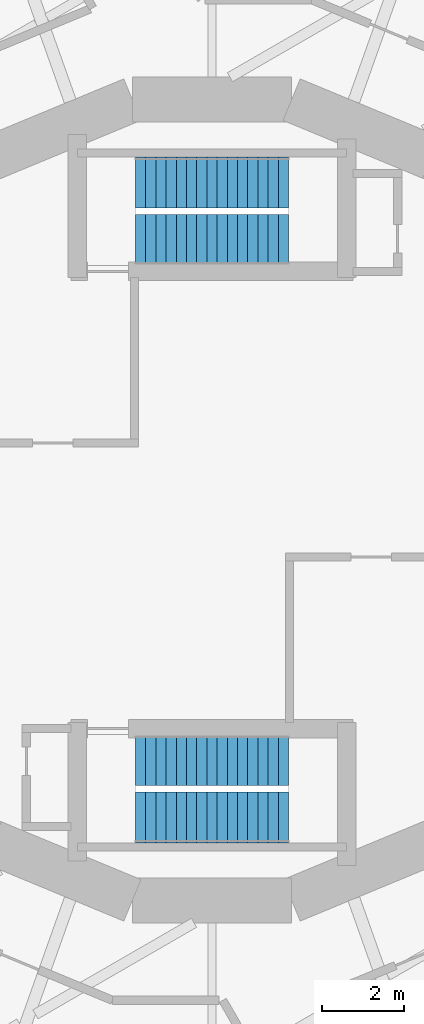
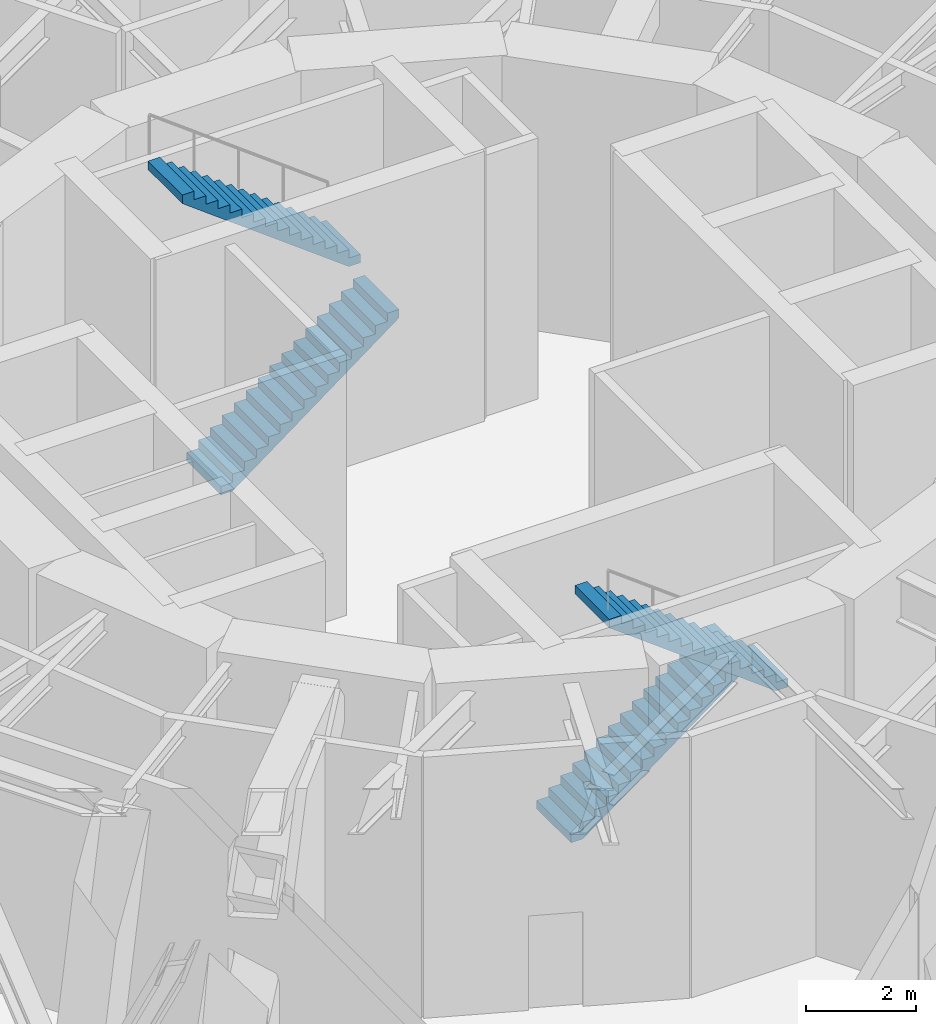
# One storey, part 7 of 10: 4 stair flights, 2 elements without a shape of their own.
"""IFC4 building model written with IfcOpenShell, lengths in metres."""

from ifc_helpers import new_model, si_unit, direction, frame, origin, place, context, subcontext, project, spatial, polyline, outline, extrude, material, type_object, element, aggregate, save


model = new_model("IFC4")

# Units and contexts
model_context = context("Model", 3, precision=1e-05, world=origin(), true_north=direction((0.0, 1.0)))
body_context = subcontext(model_context, "Body", "Model", "MODEL_VIEW")
ifc_project = project(units=[si_unit("LENGTHUNIT", "METRE"), si_unit("AREAUNIT", "SQUARE_METRE"), si_unit("VOLUMEUNIT", "CUBIC_METRE"), si_unit("PLANEANGLEUNIT", "RADIAN"), si_unit("MASSUNIT", "GRAM", prefix="KILO")], contexts=[model_context])

# Site, building, storey
site_placement = place(None, origin())
site = spatial("IfcSite", under=ifc_project, at=site_placement, CompositionType="ELEMENT")
building_placement = place(site_placement, origin())
building = spatial("IfcBuilding", under=site, at=building_placement, Name="Nakasero Lantern House", CompositionType="ELEMENT")
storey_placement = place(building_placement, frame((0.0, 0.0, 217.10009765625)))
storey = spatial("IfcBuildingStorey", under=building, at=storey_placement, Name="L53", CompositionType="ELEMENT", Elevation=217.10009765625)

# Stair, stair flights
ifc_material_1 = material(Name="Concrete C40/50", Category="concrete")
stair_type_1 = type_object("IfcStairType", Name="Escape stair ST1 32 risers", PredefinedType="HALF_TURN_STAIR", material=ifc_material_1)
stair_1_placement = place(storey_placement, origin())
stair_1 = element("IfcStair", 1, at=stair_1_placement, inside=storey, type_object=stair_type_1, Name="Escape stair ST1 L53", PredefinedType="HALF_TURN_STAIR")
ifc_material_2 = material(Name="Concrete C40/50", Category="concrete")
stair_flight_type = type_object("IfcStairFlightType", Name="Escape stair flight", PredefinedType="STRAIGHT", material=ifc_material_2)
stair_flight_1_placement = place(storey_placement, frame((-1.875, 6.375, 0.0), z_axis=(0.0, 0.0, 1.0), x_axis=(1.0, 0.0, 0.0)))
stair_flight_1 = element("IfcStairFlight", 2, at=stair_flight_1_placement, type_object=stair_flight_type, Name="ST1 flight 1", NumberOfRisers=16, NumberOfTreads=15, PredefinedType="STRAIGHT", RiserHeight=0.1875, TreadLength=0.25, context=body_context, shape_type="SweptSolid", body=[
    extrude(outline(polyline([(0.0, 0.0), (0.0, 0.1875), (0.25, 0.1875), (0.25, 0.375), (0.5, 0.375), (0.5, 0.5625), (0.75, 0.5625), (0.75, 0.75), (1.0, 0.75), (1.0, 0.9375), (1.25, 0.9375), (1.25, 1.125), (1.5, 1.125), (1.5, 1.3125), (1.75, 1.3125), (1.75, 1.5), (2.0, 1.5), (2.0, 1.6875), (2.25, 1.6875), (2.25, 1.875), (2.5, 1.875), (2.5, 2.0625), (2.75, 2.0625), (2.75, 2.25), (3.0, 2.25), (3.0, 2.4375), (3.25, 2.4375), (3.25, 2.625), (3.5, 2.625), (3.5, 2.8125), (3.75, 2.8125), (3.75, 3.0), (3.75, 2.625), (0.249755859375, 0.0), (0.0, 0.0)])), frame((0.0, 0.625, 0.0), z_axis=(0.0, -1.0, 0.0), x_axis=(1.0, 0.0, 0.0)), (0.0, 0.0, 1.0), 1.25),
])
stair_flight_2_placement = place(storey_placement, frame((1.875, 7.77490234375, 3.0), z_axis=(0.0, 0.0, 1.0), x_axis=(-1.0, 0.0, 0.0)))
stair_flight_2 = element("IfcStairFlight", 3, at=stair_flight_2_placement, type_object=stair_flight_type, Name="ST1 flight 2", NumberOfRisers=16, NumberOfTreads=15, PredefinedType="STRAIGHT", RiserHeight=0.1875, TreadLength=0.25, context=body_context, shape_type="SweptSolid", body=[
    extrude(outline(polyline([(0.0, 0.0), (0.0, 0.1875), (0.25, 0.1875), (0.25, 0.375), (0.5, 0.375), (0.5, 0.5625), (0.75, 0.5625), (0.75, 0.75), (1.0, 0.75), (1.0, 0.9375), (1.25, 0.9375), (1.25, 1.125), (1.5, 1.125), (1.5, 1.3125), (1.75, 1.3125), (1.75, 1.5), (2.0, 1.5), (2.0, 1.6875), (2.25, 1.6875), (2.25, 1.875), (2.5, 1.875), (2.5, 2.0625), (2.75, 2.0625), (2.75, 2.25), (3.0, 2.25), (3.0, 2.4375), (3.25, 2.4375), (3.25, 2.625), (3.5, 2.625), (3.5, 2.8125), (3.75, 2.8125), (3.75, 3.0), (3.75, 2.625), (0.249755859375, 0.0), (0.0, 0.0)])), frame((0.0, 0.625, 0.0), z_axis=(0.0, -1.0, 0.0), x_axis=(1.0, 0.0, 0.0)), (0.0, 0.0, 1.0), 1.25),
])
aggregate(stair_1, [stair_flight_1, stair_flight_2])

ifc_material_3 = material(Name="Concrete C40/50", Category="concrete")
stair_type_2 = type_object("IfcStairType", Name="Escape stair ST2 32 risers", PredefinedType="HALF_TURN_STAIR", material=ifc_material_3)
stair_2_placement = place(storey_placement, origin())
stair_2 = element("IfcStair", 4, at=stair_2_placement, inside=storey, type_object=stair_type_2, Name="Escape stair ST2 L53", PredefinedType="HALF_TURN_STAIR")
stair_flight_3_placement = place(storey_placement, frame((-1.875, -6.375, 0.0), z_axis=(0.0, 0.0, 1.0), x_axis=(1.0, 0.0, 0.0)))
stair_flight_3 = element("IfcStairFlight", 5, at=stair_flight_3_placement, type_object=stair_flight_type, Name="ST2 flight 1", NumberOfRisers=16, NumberOfTreads=15, PredefinedType="STRAIGHT", RiserHeight=0.1875, TreadLength=0.25, context=body_context, shape_type="SweptSolid", body=[
    extrude(outline(polyline([(0.0, 0.0), (0.0, 0.1875), (0.25, 0.1875), (0.25, 0.375), (0.5, 0.375), (0.5, 0.5625), (0.75, 0.5625), (0.75, 0.75), (1.0, 0.75), (1.0, 0.9375), (1.25, 0.9375), (1.25, 1.125), (1.5, 1.125), (1.5, 1.3125), (1.75, 1.3125), (1.75, 1.5), (2.0, 1.5), (2.0, 1.6875), (2.25, 1.6875), (2.25, 1.875), (2.5, 1.875), (2.5, 2.0625), (2.75, 2.0625), (2.75, 2.25), (3.0, 2.25), (3.0, 2.4375), (3.25, 2.4375), (3.25, 2.625), (3.5, 2.625), (3.5, 2.8125), (3.75, 2.8125), (3.75, 3.0), (3.75, 2.625), (0.249755859375, 0.0), (0.0, 0.0)])), frame((0.0, 0.625, 0.0), z_axis=(0.0, -1.0, 0.0), x_axis=(1.0, 0.0, 0.0)), (0.0, 0.0, 1.0), 1.25),
])
stair_flight_4_placement = place(storey_placement, frame((1.875, -7.77490234375, 3.0), z_axis=(0.0, 0.0, 1.0), x_axis=(-1.0, 0.0, 0.0)))
stair_flight_4 = element("IfcStairFlight", 6, at=stair_flight_4_placement, type_object=stair_flight_type, Name="ST2 flight 2", NumberOfRisers=16, NumberOfTreads=15, PredefinedType="STRAIGHT", RiserHeight=0.1875, TreadLength=0.25, context=body_context, shape_type="SweptSolid", body=[
    extrude(outline(polyline([(0.0, 0.0), (0.0, 0.1875), (0.25, 0.1875), (0.25, 0.375), (0.5, 0.375), (0.5, 0.5625), (0.75, 0.5625), (0.75, 0.75), (1.0, 0.75), (1.0, 0.9375), (1.25, 0.9375), (1.25, 1.125), (1.5, 1.125), (1.5, 1.3125), (1.75, 1.3125), (1.75, 1.5), (2.0, 1.5), (2.0, 1.6875), (2.25, 1.6875), (2.25, 1.875), (2.5, 1.875), (2.5, 2.0625), (2.75, 2.0625), (2.75, 2.25), (3.0, 2.25), (3.0, 2.4375), (3.25, 2.4375), (3.25, 2.625), (3.5, 2.625), (3.5, 2.8125), (3.75, 2.8125), (3.75, 3.0), (3.75, 2.625), (0.249755859375, 0.0), (0.0, 0.0)])), frame((0.0, 0.625, 0.0), z_axis=(0.0, -1.0, 0.0), x_axis=(1.0, 0.0, 0.0)), (0.0, 0.0, 1.0), 1.25),
])
aggregate(stair_2, [stair_flight_3, stair_flight_4])

save(model, "model.ifc")
